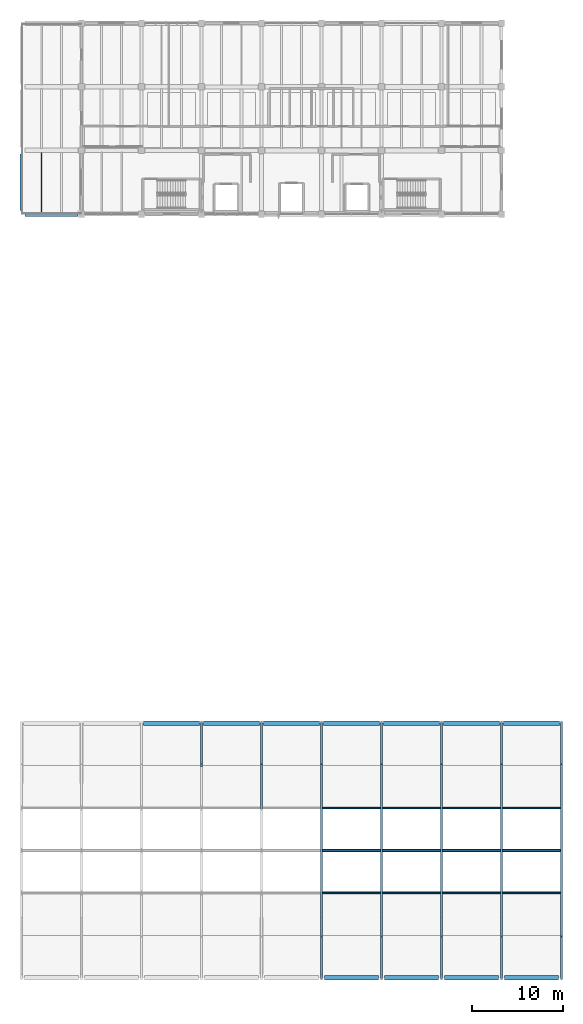
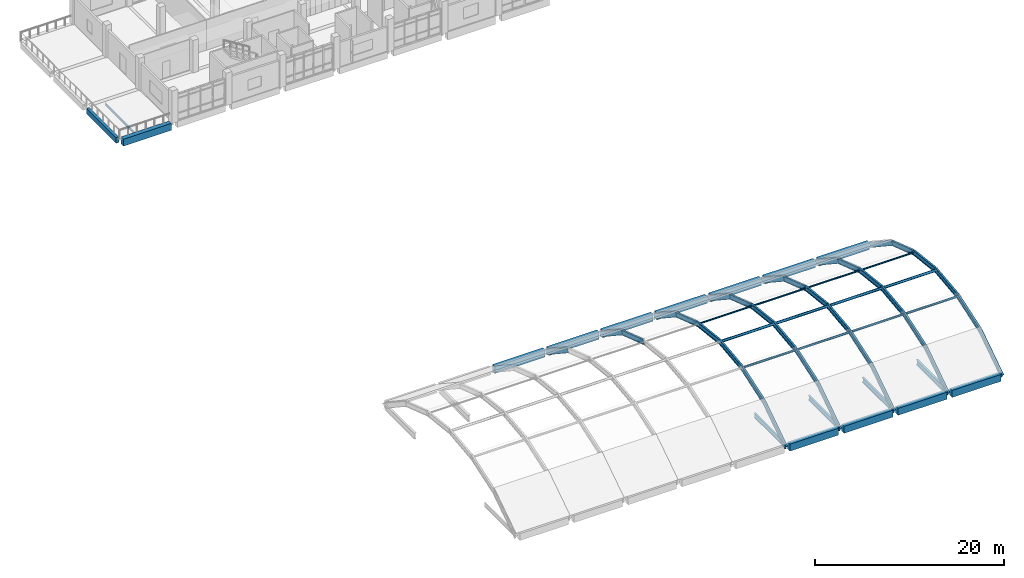
# One storey, part 2 of 20: 45 members, 18 beams.
"""IFC4 building model written with IfcOpenShell, lengths in metres."""

from ifc_helpers import new_model, si_unit, direction, frame, origin, origin_2d, place, context, subcontext, project, spatial, rectangle, hollow_circle, i_section, extrude, material, material_profile, profile_set, type_object, element, save


model = new_model("IFC4")

# Units and contexts
model_context = context("Model", 3, precision=1e-05, world=origin(), true_north=direction((0.0, 1.0)))
body_context = subcontext(model_context, "Body", "Model", "MODEL_VIEW")
ifc_project = project(units=[si_unit("LENGTHUNIT", "METRE"), si_unit("AREAUNIT", "SQUARE_METRE"), si_unit("VOLUMEUNIT", "CUBIC_METRE"), si_unit("PLANEANGLEUNIT", "RADIAN"), si_unit("MASSUNIT", "GRAM", prefix="KILO")], contexts=[model_context])

# Site, building, storey
site_placement = place(None, origin())
site = spatial("IfcSite", under=ifc_project, at=site_placement, CompositionType="ELEMENT")
building_placement = place(site_placement, origin())
building = spatial("IfcBuilding", under=site, at=building_placement, Name="Ciguamira Faculty of Natural Sciences", CompositionType="ELEMENT")
storey_placement = place(building_placement, frame((0.0, 0.0, 21.0)))
storey = spatial("IfcBuildingStorey", under=building, at=storey_placement, Name="L05", CompositionType="ELEMENT", Elevation=21.0)

# Beams
ifc_material_1 = material(Name="Concrete C40/50", Category="concrete")
ifc_material_profile_1 = material_profile(ifc_material_1, rectangle(XDim=0.5, YDim=0.89990234375, at=origin_2d()), Name="RC-BM-500X900")
ifc_profile_set_1 = profile_set([ifc_material_profile_1], Name="Concrete C40/50")
beam_type_1 = type_object("IfcBeamType", Name="RCBeam_BG-03_RC-BM-500X900", PredefinedType="BEAM", material=ifc_profile_set_1)
beam_1_placement = place(storey_placement, frame((57.675048828125, 94.0, -0.449951171875), z_axis=(1.0, 0.0, 0.0), x_axis=(0.0, 1.0, 0.0)))
element("IfcBeam", 1, at=beam_1_placement, inside=storey, type_object=beam_type_1, Name="L05 RC girder EW-1441", PredefinedType="BEAM", context=body_context, shape_type="SweptSolid", body=[
    extrude(rectangle(XDim=0.5, YDim=0.89990234375, at=origin_2d()), origin(), (0.0, 0.0, 1.0), 5.849853515625),
])
for number, where, z_axis, x_axis, name in (
    (2, (90.625, 10.0, -0.449951171875), (1.0, 0.0, 0.0), (0.0, 1.0, 0.0), "V3 atrium shell RC edge beam S-06"),
    (3, (97.22509765625, 10.0, -0.449951171875), (1.0, 0.0, 0.0), (0.0, 1.0, 0.0), "V3 atrium shell RC edge beam S-07"),
    (4, (103.824951171875, 10.0, -0.449951171875), (1.0, 0.0, 0.0), (0.0, 1.0, 0.0), "V3 atrium shell RC edge beam S-08"),
    (5, (110.425048828125, 10.0, -0.449951171875), (1.0, 0.0, 0.0), (0.0, 1.0, 0.0), "V3 atrium shell RC edge beam S-09"),
):
    element("IfcBeam", number, at=place(storey_placement, frame(where, z_axis=z_axis, x_axis=x_axis)), inside=storey, type_object=beam_type_1, Name=name, PredefinedType="BEAM", context=body_context, shape_type="SweptSolid", body=[
        extrude(rectangle(XDim=0.5, YDim=0.89990234375, at=origin_2d()), origin(), (0.0, 0.0, 1.0), 5.949951171875),
    ])
beam_2_placement = place(storey_placement, frame((70.72509765625, 38.0, -0.449951171875), z_axis=(1.0, 0.0, 0.0), x_axis=(0.0, 1.0, 0.0)))
element("IfcBeam", 6, at=beam_2_placement, inside=storey, type_object=beam_type_1, Name="V3 atrium shell RC edge beam N-03", PredefinedType="BEAM", context=body_context, shape_type="SweptSolid", body=[
    extrude(rectangle(XDim=0.5, YDim=0.89990234375, at=origin_2d()), origin(), (0.0, 0.0, 1.0), 6.14990234375),
])
beam_3_placement = place(storey_placement, frame((77.324951171875, 38.0, -0.449951171875), z_axis=(1.0, 0.0, 0.0), x_axis=(0.0, 1.0, 0.0)))
element("IfcBeam", 7, at=beam_3_placement, inside=storey, type_object=beam_type_1, Name="V3 atrium shell RC edge beam N-04", PredefinedType="BEAM", context=body_context, shape_type="SweptSolid", body=[
    extrude(rectangle(XDim=0.5, YDim=0.89990234375, at=origin_2d()), origin(), (0.0, 0.0, 1.0), 6.150146484375),
])
beam_4_placement = place(storey_placement, frame((83.925048828125, 38.0, -0.449951171875), z_axis=(1.0, 0.0, 0.0), x_axis=(0.0, 1.0, 0.0)))
element("IfcBeam", 8, at=beam_4_placement, inside=storey, type_object=beam_type_1, Name="V3 atrium shell RC edge beam N-05", PredefinedType="BEAM", context=body_context, shape_type="SweptSolid", body=[
    extrude(rectangle(XDim=0.5, YDim=0.89990234375, at=origin_2d()), origin(), (0.0, 0.0, 1.0), 6.14990234375),
])
beam_5_placement = place(storey_placement, frame((90.52490234375, 38.0, -0.449951171875), z_axis=(1.0, 0.0, 0.0), x_axis=(0.0, 1.0, 0.0)))
element("IfcBeam", 9, at=beam_5_placement, inside=storey, type_object=beam_type_1, Name="V3 atrium shell RC edge beam N-06", PredefinedType="BEAM", context=body_context, shape_type="SweptSolid", body=[
    extrude(rectangle(XDim=0.5, YDim=0.89990234375, at=origin_2d()), origin(), (0.0, 0.0, 1.0), 6.150146484375),
])
for number, where, z_axis, x_axis, name in (
    (10, (97.125, 38.0, -0.449951171875), (1.0, 0.0, 0.0), (0.0, 1.0, 0.0), "V3 atrium shell RC edge beam N-07"),
    (11, (103.72509765625, 38.0, -0.449951171875), (1.0, 0.0, 0.0), (0.0, 1.0, 0.0), "V3 atrium shell RC edge beam N-08"),
):
    element("IfcBeam", number, at=place(storey_placement, frame(where, z_axis=z_axis, x_axis=x_axis)), inside=storey, type_object=beam_type_1, Name=name, PredefinedType="BEAM", context=body_context, shape_type="SweptSolid", body=[
        extrude(rectangle(XDim=0.5, YDim=0.89990234375, at=origin_2d()), origin(), (0.0, 0.0, 1.0), 6.14990234375),
    ])
beam_6_placement = place(storey_placement, frame((110.324951171875, 38.0, -0.449951171875), z_axis=(1.0, 0.0, 0.0), x_axis=(0.0, 1.0, 0.0)))
element("IfcBeam", 12, at=beam_6_placement, inside=storey, type_object=beam_type_1, Name="V3 atrium shell RC edge beam N-09", PredefinedType="BEAM", context=body_context, shape_type="SweptSolid", body=[
    extrude(rectangle(XDim=0.5, YDim=0.89990234375, at=origin_2d()), origin(), (0.0, 0.0, 1.0), 6.150146484375),
])
ifc_material_2 = material(Name="Precast concrete C40/50", Category="concrete")
ifc_material_profile_2 = material_profile(ifc_material_2, rectangle(XDim=0.340087890625, YDim=0.719970703125, at=origin_2d()), Name="RC-SP-340X720")
ifc_profile_set_2 = profile_set([ifc_material_profile_2], Name="Precast concrete C40/50")
beam_type_2 = type_object("IfcBeamType", Name="RCBeam_SP-03_RC-SP-340X720", PredefinedType="SPANDREL", material=ifc_profile_set_2)
beam_7_placement = place(storey_placement, frame((57.300048828125, 94.375, -0.360107421875), z_axis=(0.0, 1.0, 0.0), x_axis=(-1.0, 0.0, 0.0)))
element("IfcBeam", 13, at=beam_7_placement, inside=storey, type_object=beam_type_2, Name="L05 girder NS-1473", PredefinedType="SPANDREL", context=body_context, shape_type="SweptSolid", body=[
    extrude(rectangle(XDim=0.340087890625, YDim=0.719970703125, at=origin_2d()), origin(), (0.0, 0.0, 1.0), 6.25),
])
ifc_material_3 = material(Name="Steel ASTM A992 Grade 50", Category="steel")
ifc_material_profile_3 = material_profile(ifc_material_3, i_section(OverallWidth=0.177978515625, OverallDepth=0.599365234375, WebThickness=0.010009765625, FlangeThickness=0.012939453125, at=origin_2d()), Name="W24X55")
ifc_profile_set_3 = profile_set([ifc_material_profile_3], Name="Steel ASTM A992 Grade 50")
beam_type_3 = type_object("IfcBeamType", Name="SteelGirder_SB-31_W24X55", PredefinedType="BEAM", material=ifc_profile_set_3)
beam_8_placement = place(storey_placement, frame((90.300048828125, 10.35009765625, -0.2998046875), z_axis=(0.0, 1.0, 0.0), x_axis=(-1.0, 0.0, 0.0)))
element("IfcBeam", 14, at=beam_8_placement, inside=storey, type_object=beam_type_3, Name="L05 atrium steel roof girder 06", PredefinedType="BEAM", context=body_context, shape_type="SweptSolid", body=[
    extrude(i_section(OverallWidth=0.177978515625, OverallDepth=0.599365234375, WebThickness=0.010009765625, FlangeThickness=0.012939453125, at=origin_2d()), origin(), (0.0, 0.0, 1.0), 6.2998046875),
])
ifc_material_profile_4 = material_profile(ifc_material_3, i_section(OverallWidth=0.227783203125, OverallDepth=0.60205078125, WebThickness=0.010498046875, FlangeThickness=0.014892578125, at=origin_2d()), Name="W24X68")
ifc_profile_set_4 = profile_set([ifc_material_profile_4], Name="Steel ASTM A992 Grade 50")
beam_type_4 = type_object("IfcBeamType", Name="SteelGirder_SB-32_W24X68", PredefinedType="BEAM", material=ifc_profile_set_4)
beam_9_placement = place(storey_placement, frame((96.89990234375, 10.35009765625, -0.301025390625), z_axis=(0.0, 1.0, 0.0), x_axis=(-1.0, 0.0, 0.0)))
element("IfcBeam", 15, at=beam_9_placement, inside=storey, type_object=beam_type_4, Name="L05 atrium steel roof girder 07", PredefinedType="BEAM", context=body_context, shape_type="SweptSolid", body=[
    extrude(i_section(OverallWidth=0.227783203125, OverallDepth=0.60205078125, WebThickness=0.010498046875, FlangeThickness=0.014892578125, at=origin_2d()), origin(), (0.0, 0.0, 1.0), 6.2998046875),
])
ifc_material_profile_5 = material_profile(ifc_material_3, i_section(OverallWidth=0.22900390625, OverallDepth=0.612060546875, WebThickness=0.011962890625, FlangeThickness=0.01953125, at=origin_2d()), Name="W24X84")
ifc_profile_set_5 = profile_set([ifc_material_profile_5], Name="Steel ASTM A992 Grade 50")
beam_type_5 = type_object("IfcBeamType", Name="SteelGirder_SB-33_W24X84", PredefinedType="BEAM", material=ifc_profile_set_5)
beam_10_placement = place(storey_placement, frame((103.5, 10.35009765625, -0.30615234375), z_axis=(0.0, 1.0, 0.0), x_axis=(-1.0, 0.0, 0.0)))
element("IfcBeam", 16, at=beam_10_placement, inside=storey, type_object=beam_type_5, Name="L05 atrium steel roof girder 08", PredefinedType="BEAM", context=body_context, shape_type="SweptSolid", body=[
    extrude(i_section(OverallWidth=0.22900390625, OverallDepth=0.612060546875, WebThickness=0.011962890625, FlangeThickness=0.01953125, at=origin_2d()), origin(), (0.0, 0.0, 1.0), 6.2998046875),
])
ifc_material_profile_6 = material_profile(ifc_material_3, i_section(OverallWidth=0.25390625, OverallDepth=0.67822265625, WebThickness=0.01171875, FlangeThickness=0.016357421875, at=origin_2d()), Name="W27X84")
ifc_profile_set_6 = profile_set([ifc_material_profile_6], Name="Steel ASTM A992 Grade 50")
beam_type_6 = type_object("IfcBeamType", Name="SteelGirder_SB-34_W27X84", PredefinedType="BEAM", material=ifc_profile_set_6)
beam_11_placement = place(storey_placement, frame((110.10009765625, 10.35009765625, -0.339111328125), z_axis=(0.0, 1.0, 0.0), x_axis=(-1.0, 0.0, 0.0)))
element("IfcBeam", 17, at=beam_11_placement, inside=storey, type_object=beam_type_6, Name="L05 atrium steel roof girder 09", PredefinedType="BEAM", context=body_context, shape_type="SweptSolid", body=[
    extrude(i_section(OverallWidth=0.25390625, OverallDepth=0.67822265625, WebThickness=0.01171875, FlangeThickness=0.016357421875, at=origin_2d()), origin(), (0.0, 0.0, 1.0), 6.2998046875),
])
ifc_material_profile_7 = material_profile(ifc_material_3, i_section(OverallWidth=0.14599609375, OverallDepth=0.259033203125, WebThickness=0.006103515625, FlangeThickness=0.009033203125, at=origin_2d()), Name="W10X22")
ifc_profile_set_7 = profile_set([ifc_material_profile_7], Name="Steel ASTM A992 Grade 50")
beam_type_7 = type_object("IfcBeamType", Name="SteelJoist_SJ-01_W10X22", PredefinedType="JOIST", material=ifc_profile_set_7)
beam_12_placement = place(storey_placement, frame((59.5, 94.2099609375, -0.32958984375), z_axis=(0.0, 1.0, 0.0), x_axis=(-1.0, 0.0, 0.0)))
element("IfcBeam", 18, at=beam_12_placement, inside=storey, type_object=beam_type_7, Name="L05 composite steel joist 01342", PredefinedType="JOIST", context=body_context, shape_type="SweptSolid", body=[
    extrude(i_section(OverallWidth=0.14599609375, OverallDepth=0.259033203125, WebThickness=0.006103515625, FlangeThickness=0.009033203125, at=origin_2d()), origin(), (0.0, 0.0, 1.0), 6.580078125),
])

# Members
ifc_material_4 = material(Name="Steel ASTM A500 Grade C", Category="steel")
ifc_material_profile_8 = material_profile(ifc_material_4, hollow_circle(Radius=0.136474609375, WallThickness=0.01171875, at=origin_2d()), Name="HSS10.750X0.500")
ifc_profile_set_8 = profile_set([ifc_material_profile_8], Name="Steel ASTM A500 Grade C")
member_type_1 = type_object("IfcMemberType", Name="SteelMember_HC-01_HSS10.750X0.500", PredefinedType="CHORD", material=ifc_profile_set_8)
member_1_placement = place(storey_placement, frame((90.300048828125, 19.333251953125, 4.18212890625), z_axis=(1.0, 0.0, 0.0), x_axis=(0.0, 1.0, 0.0)))
element("IfcMember", 19, at=member_1_placement, inside=storey, type_object=member_type_1, Name="Atrium Skylight Tubular Truss Chord 1-06", PredefinedType="CHORD", context=body_context, shape_type="SweptSolid", body=[
    extrude(hollow_circle(Radius=0.136474609375, WallThickness=0.01171875, at=origin_2d()), origin(), (0.0, 0.0, 1.0), 6.599853515625),
])
for number, where, z_axis, x_axis, name in (
    (20, (96.89990234375, 19.333251953125, 4.18212890625), (1.0, 0.0, 0.0), (0.0, 1.0, 0.0), "Atrium Skylight Tubular Truss Chord 1-07"),
    (21, (103.5, 19.333251953125, 4.18212890625), (1.0, 0.0, 0.0), (0.0, 1.0, 0.0), "Atrium Skylight Tubular Truss Chord 1-08"),
):
    element("IfcMember", number, at=place(storey_placement, frame(where, z_axis=z_axis, x_axis=x_axis)), inside=storey, type_object=member_type_1, Name=name, PredefinedType="CHORD", context=body_context, shape_type="SweptSolid", body=[
        extrude(hollow_circle(Radius=0.136474609375, WallThickness=0.01171875, at=origin_2d()), origin(), (0.0, 0.0, 1.0), 6.60009765625),
    ])
member_2_placement = place(storey_placement, frame((110.10009765625, 19.333251953125, 4.18212890625), z_axis=(1.0, 0.0, 0.0), x_axis=(0.0, 1.0, 0.0)))
element("IfcMember", 22, at=member_2_placement, inside=storey, type_object=member_type_1, Name="Atrium Skylight Tubular Truss Chord 1-09", PredefinedType="CHORD", context=body_context, shape_type="SweptSolid", body=[
    extrude(hollow_circle(Radius=0.136474609375, WallThickness=0.01171875, at=origin_2d()), origin(), (0.0, 0.0, 1.0), 6.599853515625),
])
ifc_material_profile_9 = material_profile(ifc_material_4, hollow_circle(Radius=0.161865234375, WallThickness=0.01171875, at=origin_2d()), Name="HSS12.750X0.500")
ifc_profile_set_9 = profile_set([ifc_material_profile_9], Name="Steel ASTM A500 Grade C")
member_type_2 = type_object("IfcMemberType", Name="SteelMember_HC-02_HSS12.750X0.500", PredefinedType="CHORD", material=ifc_profile_set_9)
member_3_placement = place(storey_placement, frame((90.300048828125, 24.0, 4.7138671875), z_axis=(1.0, 0.0, 0.0), x_axis=(0.0, 1.0, 0.0)))
element("IfcMember", 23, at=member_3_placement, inside=storey, type_object=member_type_2, Name="Atrium Skylight Tubular Truss Chord 2-06", PredefinedType="CHORD", context=body_context, shape_type="SweptSolid", body=[
    extrude(hollow_circle(Radius=0.161865234375, WallThickness=0.01171875, at=origin_2d()), origin(), (0.0, 0.0, 1.0), 6.599853515625),
])
for number, where, z_axis, x_axis, name in (
    (24, (96.89990234375, 24.0, 4.7138671875), (1.0, 0.0, 0.0), (0.0, 1.0, 0.0), "Atrium Skylight Tubular Truss Chord 2-07"),
    (25, (103.5, 24.0, 4.7138671875), (1.0, 0.0, 0.0), (0.0, 1.0, 0.0), "Atrium Skylight Tubular Truss Chord 2-08"),
):
    element("IfcMember", number, at=place(storey_placement, frame(where, z_axis=z_axis, x_axis=x_axis)), inside=storey, type_object=member_type_2, Name=name, PredefinedType="CHORD", context=body_context, shape_type="SweptSolid", body=[
        extrude(hollow_circle(Radius=0.161865234375, WallThickness=0.01171875, at=origin_2d()), origin(), (0.0, 0.0, 1.0), 6.60009765625),
    ])
member_4_placement = place(storey_placement, frame((110.10009765625, 24.0, 4.7138671875), z_axis=(1.0, 0.0, 0.0), x_axis=(0.0, 1.0, 0.0)))
element("IfcMember", 26, at=member_4_placement, inside=storey, type_object=member_type_2, Name="Atrium Skylight Tubular Truss Chord 2-09", PredefinedType="CHORD", context=body_context, shape_type="SweptSolid", body=[
    extrude(hollow_circle(Radius=0.161865234375, WallThickness=0.01171875, at=origin_2d()), origin(), (0.0, 0.0, 1.0), 6.599853515625),
])
ifc_material_profile_10 = material_profile(ifc_material_4, hollow_circle(Radius=0.109619140625, WallThickness=0.0087890625, at=origin_2d()), Name="HSS8.625X0.375")
ifc_profile_set_10 = profile_set([ifc_material_profile_10], Name="Steel ASTM A500 Grade C")
member_type_3 = type_object("IfcMemberType", Name="SteelMember_HS-02_HSS8.625X0.375", PredefinedType="STRUT", material=ifc_profile_set_10)
member_5_placement = place(storey_placement, frame((90.300048828125, 28.666748046875, 4.18212890625), z_axis=(1.0, 0.0, 0.0), x_axis=(0.0, 1.0, 0.0)))
element("IfcMember", 27, at=member_5_placement, inside=storey, type_object=member_type_3, Name="Atrium Skylight Tubular Truss Chord 3-06", PredefinedType="STRUT", context=body_context, shape_type="SweptSolid", body=[
    extrude(hollow_circle(Radius=0.109619140625, WallThickness=0.0087890625, at=origin_2d()), origin(), (0.0, 0.0, 1.0), 6.599853515625),
])
for number, where, z_axis, x_axis, name in (
    (28, (96.89990234375, 28.666748046875, 4.18212890625), (1.0, 0.0, 0.0), (0.0, 1.0, 0.0), "Atrium Skylight Tubular Truss Chord 3-07"),
    (29, (103.5, 28.666748046875, 4.18212890625), (1.0, 0.0, 0.0), (0.0, 1.0, 0.0), "Atrium Skylight Tubular Truss Chord 3-08"),
):
    element("IfcMember", number, at=place(storey_placement, frame(where, z_axis=z_axis, x_axis=x_axis)), inside=storey, type_object=member_type_3, Name=name, PredefinedType="STRUT", context=body_context, shape_type="SweptSolid", body=[
        extrude(hollow_circle(Radius=0.109619140625, WallThickness=0.0087890625, at=origin_2d()), origin(), (0.0, 0.0, 1.0), 6.60009765625),
    ])
member_6_placement = place(storey_placement, frame((110.10009765625, 28.666748046875, 4.18212890625), z_axis=(1.0, 0.0, 0.0), x_axis=(0.0, 1.0, 0.0)))
element("IfcMember", 30, at=member_6_placement, inside=storey, type_object=member_type_3, Name="Atrium Skylight Tubular Truss Chord 3-09", PredefinedType="STRUT", context=body_context, shape_type="SweptSolid", body=[
    extrude(hollow_circle(Radius=0.109619140625, WallThickness=0.0087890625, at=origin_2d()), origin(), (0.0, 0.0, 1.0), 6.599853515625),
])
ifc_material_profile_11 = material_profile(ifc_material_3, i_section(OverallWidth=0.22900390625, OverallDepth=0.612060546875, WebThickness=0.011962890625, FlangeThickness=0.01953125, at=origin_2d()), Name="W24X84")
ifc_profile_set_11 = profile_set([ifc_material_profile_11], Name="Steel ASTM A992 Grade 50")
member_type_4 = type_object("IfcMemberType", Name="SteelMember_TC-03_W24X84", PredefinedType="CHORD", material=ifc_profile_set_11)
member_7_placement = place(storey_placement, frame((77.10009765625, 33.333251953125, 2.605712890625), z_axis=(0.0, 0.833643717327, -0.552302591485), x_axis=(-1.0, 0.0, 0.0)))
element("IfcMember", 31, at=member_7_placement, inside=storey, type_object=member_type_4, Name="V3 atrium arch truss top chord 04-06", PredefinedType="CHORD", context=body_context, shape_type="SweptSolid", body=[
    extrude(i_section(OverallWidth=0.22900390625, OverallDepth=0.612060546875, WebThickness=0.011962890625, FlangeThickness=0.01953125, at=origin_2d()), origin(), (0.0, 0.0, 1.0), 5.597900390625),
])
member_8_placement = place(storey_placement, frame((83.699951171875, 28.666748046875, 4.18212890625), z_axis=(0.0, 0.947401758516, -0.320046727777), x_axis=(-1.0, 0.0, 0.0)))
element("IfcMember", 32, at=member_8_placement, inside=storey, type_object=member_type_4, Name="V3 atrium arch truss top chord 05-05", PredefinedType="CHORD", context=body_context, shape_type="SweptSolid", body=[
    extrude(i_section(OverallWidth=0.22900390625, OverallDepth=0.612060546875, WebThickness=0.011962890625, FlangeThickness=0.01953125, at=origin_2d()), origin(), (0.0, 0.0, 1.0), 4.925537109375),
])
for number, where, z_axis, x_axis, name in (
    (33, (83.699951171875, 33.333251953125, 2.605712890625), (0.0, 0.833643717327, -0.552302591485), (-1.0, 0.0, 0.0), "V3 atrium arch truss top chord 05-06"),
    (34, (90.300048828125, 10.0, -0.486083984375), (0.0, 0.833643717327, 0.552302591485), (-1.0, 0.0, 0.0), "V3 atrium arch truss top chord 06-01"),
):
    element("IfcMember", number, at=place(storey_placement, frame(where, z_axis=z_axis, x_axis=x_axis)), inside=storey, type_object=member_type_4, Name=name, PredefinedType="CHORD", context=body_context, shape_type="SweptSolid", body=[
        extrude(i_section(OverallWidth=0.22900390625, OverallDepth=0.612060546875, WebThickness=0.011962890625, FlangeThickness=0.01953125, at=origin_2d()), origin(), (0.0, 0.0, 1.0), 5.597900390625),
    ])
member_9_placement = place(storey_placement, frame((90.300048828125, 14.666748046875, 2.605712890625), z_axis=(0.0, 0.947401758516, 0.320046727777), x_axis=(-1.0, 0.0, 0.0)))
element("IfcMember", 35, at=member_9_placement, inside=storey, type_object=member_type_4, Name="V3 atrium arch truss top chord 06-02", PredefinedType="CHORD", context=body_context, shape_type="SweptSolid", body=[
    extrude(i_section(OverallWidth=0.22900390625, OverallDepth=0.612060546875, WebThickness=0.011962890625, FlangeThickness=0.01953125, at=origin_2d()), origin(), (0.0, 0.0, 1.0), 4.925537109375),
])
for number, where, z_axis, x_axis, name in (
    (36, (90.300048828125, 19.333251953125, 4.18212890625), (0.0, 0.993571149145, 0.113209414744), (-1.0, 0.0, 0.0), "V3 atrium arch truss top chord 06-03"),
    (37, (90.300048828125, 24.0, 4.7138671875), (0.0, 0.993571149145, -0.113209414744), (-1.0, 0.0, 0.0), "V3 atrium arch truss top chord 06-04"),
):
    element("IfcMember", number, at=place(storey_placement, frame(where, z_axis=z_axis, x_axis=x_axis)), inside=storey, type_object=member_type_4, Name=name, PredefinedType="CHORD", context=body_context, shape_type="SweptSolid", body=[
        extrude(i_section(OverallWidth=0.22900390625, OverallDepth=0.612060546875, WebThickness=0.011962890625, FlangeThickness=0.01953125, at=origin_2d()), origin(), (0.0, 0.0, 1.0), 4.697021484375),
    ])
member_10_placement = place(storey_placement, frame((90.300048828125, 28.666748046875, 4.18212890625), z_axis=(0.0, 0.947401758516, -0.320046727777), x_axis=(-1.0, 0.0, 0.0)))
element("IfcMember", 38, at=member_10_placement, inside=storey, type_object=member_type_4, Name="V3 atrium arch truss top chord 06-05", PredefinedType="CHORD", context=body_context, shape_type="SweptSolid", body=[
    extrude(i_section(OverallWidth=0.22900390625, OverallDepth=0.612060546875, WebThickness=0.011962890625, FlangeThickness=0.01953125, at=origin_2d()), origin(), (0.0, 0.0, 1.0), 4.925537109375),
])
for number, where, z_axis, x_axis, name in (
    (39, (90.300048828125, 33.333251953125, 2.605712890625), (0.0, 0.833643717327, -0.552302591485), (-1.0, 0.0, 0.0), "V3 atrium arch truss top chord 06-06"),
    (40, (96.89990234375, 10.0, -0.486083984375), (0.0, 0.833643717327, 0.552302591485), (-1.0, 0.0, 0.0), "V3 atrium arch truss top chord 07-01"),
):
    element("IfcMember", number, at=place(storey_placement, frame(where, z_axis=z_axis, x_axis=x_axis)), inside=storey, type_object=member_type_4, Name=name, PredefinedType="CHORD", context=body_context, shape_type="SweptSolid", body=[
        extrude(i_section(OverallWidth=0.22900390625, OverallDepth=0.612060546875, WebThickness=0.011962890625, FlangeThickness=0.01953125, at=origin_2d()), origin(), (0.0, 0.0, 1.0), 5.597900390625),
    ])
member_11_placement = place(storey_placement, frame((96.89990234375, 14.666748046875, 2.605712890625), z_axis=(0.0, 0.947401758516, 0.320046727777), x_axis=(-1.0, 0.0, 0.0)))
element("IfcMember", 41, at=member_11_placement, inside=storey, type_object=member_type_4, Name="V3 atrium arch truss top chord 07-02", PredefinedType="CHORD", context=body_context, shape_type="SweptSolid", body=[
    extrude(i_section(OverallWidth=0.22900390625, OverallDepth=0.612060546875, WebThickness=0.011962890625, FlangeThickness=0.01953125, at=origin_2d()), origin(), (0.0, 0.0, 1.0), 4.925537109375),
])
for number, where, z_axis, x_axis, name in (
    (42, (96.89990234375, 19.333251953125, 4.18212890625), (0.0, 0.993571149145, 0.113209414744), (-1.0, 0.0, 0.0), "V3 atrium arch truss top chord 07-03"),
    (43, (96.89990234375, 24.0, 4.7138671875), (0.0, 0.993571149145, -0.113209414744), (-1.0, 0.0, 0.0), "V3 atrium arch truss top chord 07-04"),
):
    element("IfcMember", number, at=place(storey_placement, frame(where, z_axis=z_axis, x_axis=x_axis)), inside=storey, type_object=member_type_4, Name=name, PredefinedType="CHORD", context=body_context, shape_type="SweptSolid", body=[
        extrude(i_section(OverallWidth=0.22900390625, OverallDepth=0.612060546875, WebThickness=0.011962890625, FlangeThickness=0.01953125, at=origin_2d()), origin(), (0.0, 0.0, 1.0), 4.697021484375),
    ])
member_12_placement = place(storey_placement, frame((96.89990234375, 28.666748046875, 4.18212890625), z_axis=(0.0, 0.947401758516, -0.320046727777), x_axis=(-1.0, 0.0, 0.0)))
element("IfcMember", 44, at=member_12_placement, inside=storey, type_object=member_type_4, Name="V3 atrium arch truss top chord 07-05", PredefinedType="CHORD", context=body_context, shape_type="SweptSolid", body=[
    extrude(i_section(OverallWidth=0.22900390625, OverallDepth=0.612060546875, WebThickness=0.011962890625, FlangeThickness=0.01953125, at=origin_2d()), origin(), (0.0, 0.0, 1.0), 4.925537109375),
])
for number, where, z_axis, x_axis, name in (
    (45, (96.89990234375, 33.333251953125, 2.605712890625), (0.0, 0.833643717327, -0.552302591485), (-1.0, 0.0, 0.0), "V3 atrium arch truss top chord 07-06"),
    (46, (103.5, 10.0, -0.486083984375), (0.0, 0.833643717327, 0.552302591485), (-1.0, 0.0, 0.0), "V3 atrium arch truss top chord 08-01"),
):
    element("IfcMember", number, at=place(storey_placement, frame(where, z_axis=z_axis, x_axis=x_axis)), inside=storey, type_object=member_type_4, Name=name, PredefinedType="CHORD", context=body_context, shape_type="SweptSolid", body=[
        extrude(i_section(OverallWidth=0.22900390625, OverallDepth=0.612060546875, WebThickness=0.011962890625, FlangeThickness=0.01953125, at=origin_2d()), origin(), (0.0, 0.0, 1.0), 5.597900390625),
    ])
member_13_placement = place(storey_placement, frame((103.5, 14.666748046875, 2.605712890625), z_axis=(0.0, 0.947401758516, 0.320046727777), x_axis=(-1.0, 0.0, 0.0)))
element("IfcMember", 47, at=member_13_placement, inside=storey, type_object=member_type_4, Name="V3 atrium arch truss top chord 08-02", PredefinedType="CHORD", context=body_context, shape_type="SweptSolid", body=[
    extrude(i_section(OverallWidth=0.22900390625, OverallDepth=0.612060546875, WebThickness=0.011962890625, FlangeThickness=0.01953125, at=origin_2d()), origin(), (0.0, 0.0, 1.0), 4.925537109375),
])
for number, where, z_axis, x_axis, name in (
    (48, (103.5, 19.333251953125, 4.18212890625), (0.0, 0.993571149145, 0.113209414744), (-1.0, 0.0, 0.0), "V3 atrium arch truss top chord 08-03"),
    (49, (103.5, 24.0, 4.7138671875), (0.0, 0.993571149145, -0.113209414744), (-1.0, 0.0, 0.0), "V3 atrium arch truss top chord 08-04"),
):
    element("IfcMember", number, at=place(storey_placement, frame(where, z_axis=z_axis, x_axis=x_axis)), inside=storey, type_object=member_type_4, Name=name, PredefinedType="CHORD", context=body_context, shape_type="SweptSolid", body=[
        extrude(i_section(OverallWidth=0.22900390625, OverallDepth=0.612060546875, WebThickness=0.011962890625, FlangeThickness=0.01953125, at=origin_2d()), origin(), (0.0, 0.0, 1.0), 4.697021484375),
    ])
member_14_placement = place(storey_placement, frame((103.5, 28.666748046875, 4.18212890625), z_axis=(0.0, 0.947401758516, -0.320046727777), x_axis=(-1.0, 0.0, 0.0)))
element("IfcMember", 50, at=member_14_placement, inside=storey, type_object=member_type_4, Name="V3 atrium arch truss top chord 08-05", PredefinedType="CHORD", context=body_context, shape_type="SweptSolid", body=[
    extrude(i_section(OverallWidth=0.22900390625, OverallDepth=0.612060546875, WebThickness=0.011962890625, FlangeThickness=0.01953125, at=origin_2d()), origin(), (0.0, 0.0, 1.0), 4.925537109375),
])
for number, where, z_axis, x_axis, name in (
    (51, (103.5, 33.333251953125, 2.605712890625), (0.0, 0.833643717327, -0.552302591485), (-1.0, 0.0, 0.0), "V3 atrium arch truss top chord 08-06"),
    (52, (110.10009765625, 10.0, -0.486083984375), (0.0, 0.833643717327, 0.552302591485), (-1.0, 0.0, 0.0), "V3 atrium arch truss top chord 09-01"),
):
    element("IfcMember", number, at=place(storey_placement, frame(where, z_axis=z_axis, x_axis=x_axis)), inside=storey, type_object=member_type_4, Name=name, PredefinedType="CHORD", context=body_context, shape_type="SweptSolid", body=[
        extrude(i_section(OverallWidth=0.22900390625, OverallDepth=0.612060546875, WebThickness=0.011962890625, FlangeThickness=0.01953125, at=origin_2d()), origin(), (0.0, 0.0, 1.0), 5.597900390625),
    ])
member_15_placement = place(storey_placement, frame((110.10009765625, 14.666748046875, 2.605712890625), z_axis=(0.0, 0.947401758516, 0.320046727777), x_axis=(-1.0, 0.0, 0.0)))
element("IfcMember", 53, at=member_15_placement, inside=storey, type_object=member_type_4, Name="V3 atrium arch truss top chord 09-02", PredefinedType="CHORD", context=body_context, shape_type="SweptSolid", body=[
    extrude(i_section(OverallWidth=0.22900390625, OverallDepth=0.612060546875, WebThickness=0.011962890625, FlangeThickness=0.01953125, at=origin_2d()), origin(), (0.0, 0.0, 1.0), 4.925537109375),
])
for number, where, z_axis, x_axis, name in (
    (54, (110.10009765625, 19.333251953125, 4.18212890625), (0.0, 0.993571149145, 0.113209414744), (-1.0, 0.0, 0.0), "V3 atrium arch truss top chord 09-03"),
    (55, (110.10009765625, 24.0, 4.7138671875), (0.0, 0.993571149145, -0.113209414744), (-1.0, 0.0, 0.0), "V3 atrium arch truss top chord 09-04"),
):
    element("IfcMember", number, at=place(storey_placement, frame(where, z_axis=z_axis, x_axis=x_axis)), inside=storey, type_object=member_type_4, Name=name, PredefinedType="CHORD", context=body_context, shape_type="SweptSolid", body=[
        extrude(i_section(OverallWidth=0.22900390625, OverallDepth=0.612060546875, WebThickness=0.011962890625, FlangeThickness=0.01953125, at=origin_2d()), origin(), (0.0, 0.0, 1.0), 4.697021484375),
    ])
member_16_placement = place(storey_placement, frame((110.10009765625, 28.666748046875, 4.18212890625), z_axis=(0.0, 0.947401758516, -0.320046727777), x_axis=(-1.0, 0.0, 0.0)))
element("IfcMember", 56, at=member_16_placement, inside=storey, type_object=member_type_4, Name="V3 atrium arch truss top chord 09-05", PredefinedType="CHORD", context=body_context, shape_type="SweptSolid", body=[
    extrude(i_section(OverallWidth=0.22900390625, OverallDepth=0.612060546875, WebThickness=0.011962890625, FlangeThickness=0.01953125, at=origin_2d()), origin(), (0.0, 0.0, 1.0), 4.925537109375),
])
for number, where, z_axis, x_axis, name in (
    (57, (110.10009765625, 33.333251953125, 2.605712890625), (0.0, 0.833643717327, -0.552302591485), (-1.0, 0.0, 0.0), "V3 atrium arch truss top chord 09-06"),
    (58, (116.699951171875, 10.0, -0.486083984375), (0.0, 0.833643717327, 0.552302591485), (-1.0, 0.0, 0.0), "V3 atrium arch truss top chord 10-01"),
):
    element("IfcMember", number, at=place(storey_placement, frame(where, z_axis=z_axis, x_axis=x_axis)), inside=storey, type_object=member_type_4, Name=name, PredefinedType="CHORD", context=body_context, shape_type="SweptSolid", body=[
        extrude(i_section(OverallWidth=0.22900390625, OverallDepth=0.612060546875, WebThickness=0.011962890625, FlangeThickness=0.01953125, at=origin_2d()), origin(), (0.0, 0.0, 1.0), 5.597900390625),
    ])
member_17_placement = place(storey_placement, frame((116.699951171875, 14.666748046875, 2.605712890625), z_axis=(0.0, 0.947401758516, 0.320046727777), x_axis=(-1.0, 0.0, 0.0)))
element("IfcMember", 59, at=member_17_placement, inside=storey, type_object=member_type_4, Name="V3 atrium arch truss top chord 10-02", PredefinedType="CHORD", context=body_context, shape_type="SweptSolid", body=[
    extrude(i_section(OverallWidth=0.22900390625, OverallDepth=0.612060546875, WebThickness=0.011962890625, FlangeThickness=0.01953125, at=origin_2d()), origin(), (0.0, 0.0, 1.0), 4.925537109375),
])
for number, where, z_axis, x_axis, name in (
    (60, (116.699951171875, 19.333251953125, 4.18212890625), (0.0, 0.993571149145, 0.113209414744), (-1.0, 0.0, 0.0), "V3 atrium arch truss top chord 10-03"),
    (61, (116.699951171875, 24.0, 4.7138671875), (0.0, 0.993571149145, -0.113209414744), (-1.0, 0.0, 0.0), "V3 atrium arch truss top chord 10-04"),
):
    element("IfcMember", number, at=place(storey_placement, frame(where, z_axis=z_axis, x_axis=x_axis)), inside=storey, type_object=member_type_4, Name=name, PredefinedType="CHORD", context=body_context, shape_type="SweptSolid", body=[
        extrude(i_section(OverallWidth=0.22900390625, OverallDepth=0.612060546875, WebThickness=0.011962890625, FlangeThickness=0.01953125, at=origin_2d()), origin(), (0.0, 0.0, 1.0), 4.697021484375),
    ])
member_18_placement = place(storey_placement, frame((116.699951171875, 28.666748046875, 4.18212890625), z_axis=(0.0, 0.947401758516, -0.320046727777), x_axis=(-1.0, 0.0, 0.0)))
element("IfcMember", 62, at=member_18_placement, inside=storey, type_object=member_type_4, Name="V3 atrium arch truss top chord 10-05", PredefinedType="CHORD", context=body_context, shape_type="SweptSolid", body=[
    extrude(i_section(OverallWidth=0.22900390625, OverallDepth=0.612060546875, WebThickness=0.011962890625, FlangeThickness=0.01953125, at=origin_2d()), origin(), (0.0, 0.0, 1.0), 4.925537109375),
])
member_19_placement = place(storey_placement, frame((116.699951171875, 33.333251953125, 2.605712890625), z_axis=(0.0, 0.833643717327, -0.552302591485), x_axis=(-1.0, 0.0, 0.0)))
element("IfcMember", 63, at=member_19_placement, inside=storey, type_object=member_type_4, Name="V3 atrium arch truss top chord 10-06", PredefinedType="CHORD", context=body_context, shape_type="SweptSolid", body=[
    extrude(i_section(OverallWidth=0.22900390625, OverallDepth=0.612060546875, WebThickness=0.011962890625, FlangeThickness=0.01953125, at=origin_2d()), origin(), (0.0, 0.0, 1.0), 5.597900390625),
])

save(model, "model.ifc")
